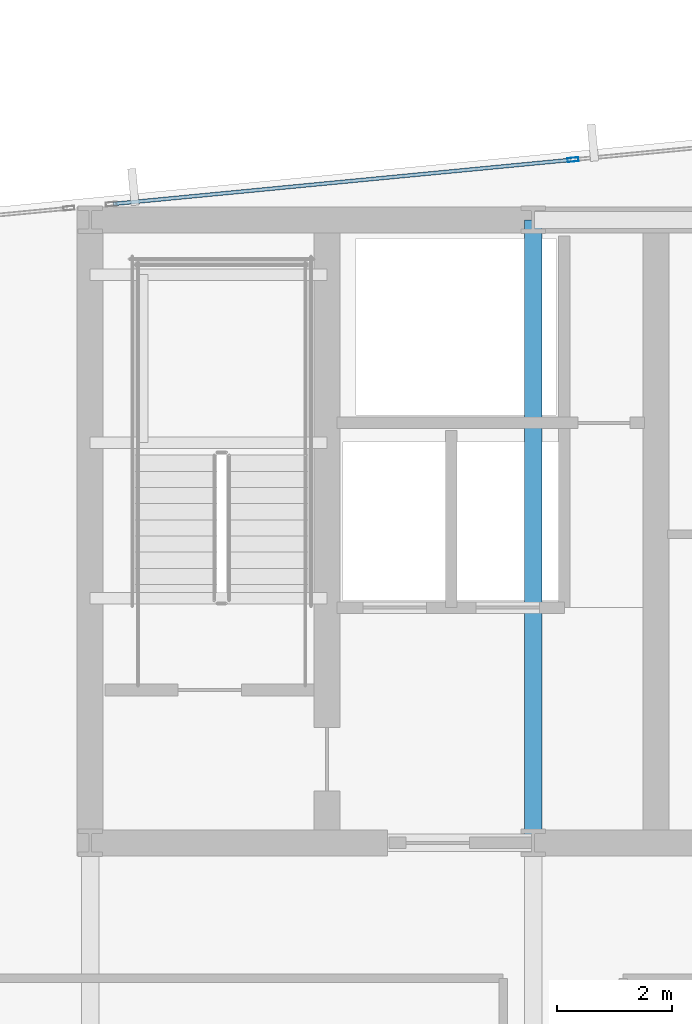
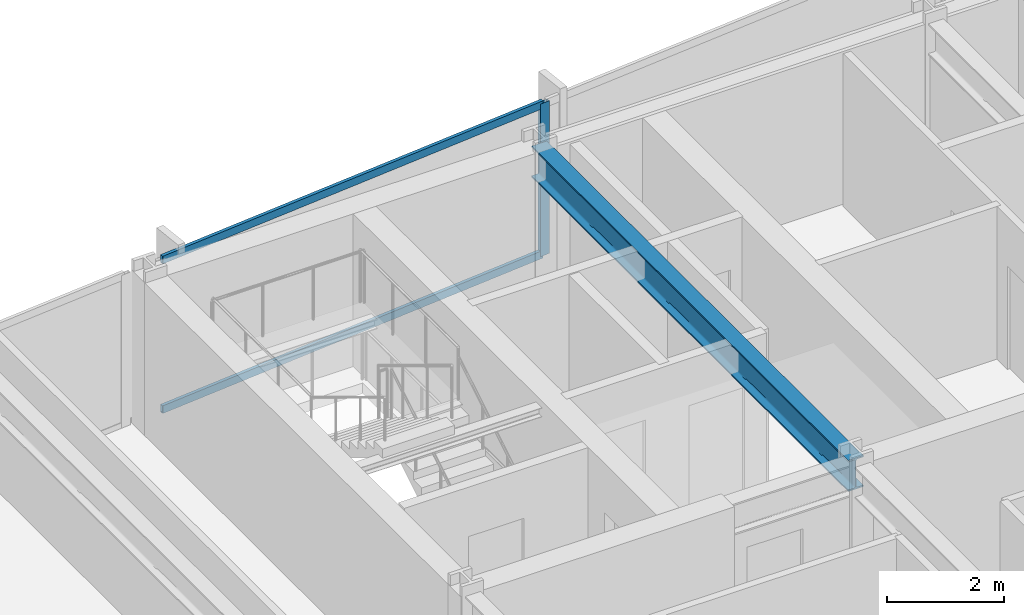
# One storey, part 18 of 32: 3 members, 1 beam, 1 element without a shape of its own.
"""IFC4 building model written with IfcOpenShell, lengths in metres."""

import ifcopenshell
import ifcopenshell.guid

model = None  # the IFC model being written
_history = None  # IfcOwnerHistory: only IFC2X3 demands one
_inside = {}  # id of a spatial element -> (the spatial element, [elements in it])
_under = {}  # id of a project, library or spatial element -> (it, [spatial elements below it])
_declared = {}  # id of a project -> (the project, [libraries it declares])
_typed = {}  # id of a type object -> (the type object, [elements of that type])
_made_of = {}  # id of a material, layer set ... -> (it, [elements and type objects made of it])


def new_model(schema):
    """Start an empty IFC model of exactly this schema.

    Asked for "IFC4X3", IfcOpenShell would pick the latest addendum, in which some entities
    have other attributes; the version numbers below select the first issue.
    IFC2X3 requires an IfcOwnerHistory on every rooted entity: one is made here for all.
    """
    global model, _history
    if schema == "IFC4X3":
        model = ifcopenshell.file(schema_version=(4, 3, 0, 0))
    else:
        model = ifcopenshell.file(schema=schema)
    _inside.clear()
    _under.clear()
    _declared.clear()
    _typed.clear()
    _made_of.clear()
    _history = None
    if model.schema == "IFC2X3":
        org = make("IfcOrganization", Name="unknown")
        user = make(
            "IfcPersonAndOrganization",
            ThePerson=make("IfcPerson", FamilyName="unknown"),
            TheOrganization=org,
        )
        app = make(
            "IfcApplication",
            ApplicationDeveloper=org,
            Version="unknown",
            ApplicationFullName="unknown",
            ApplicationIdentifier="unknown",
        )
        _history = make(
            "IfcOwnerHistory",
            OwningUser=user,
            OwningApplication=app,
            ChangeAction="ADDED",
            CreationDate=0,
        )
    return model


def make(cls, **values):
    """One entity of the class cls with the attributes given. An attribute that is None is left unset."""
    return model.create_entity(
        cls, **{name: value for name, value in values.items() if value is not None}
    )


def rooted(cls, **values):
    """An entity with a GlobalId (a new one), such as an element, a storey or a relation."""
    return make(cls, GlobalId=ifcopenshell.guid.new(), OwnerHistory=_history, **values)


def si_unit(unit_type, name, prefix=None):
    """IfcSIUnit, for example si_unit("LENGTHUNIT", "METRE", prefix="MILLI")."""
    return make("IfcSIUnit", UnitType=unit_type, Prefix=prefix, Name=name)


def assignment(units):
    """IfcUnitAssignment: the units of a project."""
    return None if units is None else make("IfcUnitAssignment", Units=units)


def point(xyz):
    """IfcCartesianPoint."""
    return None if xyz is None else make("IfcCartesianPoint", Coordinates=xyz)


def direction(xyz):
    """IfcDirection."""
    return None if xyz is None else make("IfcDirection", DirectionRatios=xyz)


def frame(location, z_axis=None, x_axis=None):
    """IfcAxis2Placement3D, a coordinate frame: its origin and axes. An axis left out is left unset."""
    return make(
        "IfcAxis2Placement3D",
        Location=point(location),
        Axis=direction(z_axis),
        RefDirection=direction(x_axis),
    )


def frame_2d(location, x_axis=None):
    """IfcAxis2Placement2D, a coordinate frame in the plane: its origin and x axis."""
    return make(
        "IfcAxis2Placement2D", Location=point(location), RefDirection=direction(x_axis)
    )


def origin():
    """The frame at (0, 0, 0) with its axes left unset."""
    return frame((0.0, 0.0, 0.0))


def origin_2d():
    """The frame at (0, 0) in the plane with its x axis left unset."""
    return frame_2d((0.0, 0.0))


def place(relative_to, where):
    """IfcLocalPlacement: puts the frame where relative to a parent placement (None: the world)."""
    return make(
        "IfcLocalPlacement", PlacementRelTo=relative_to, RelativePlacement=where
    )


def context(
    kind, dimensions, precision=None, world=None, true_north=None, identifier=None
):
    """IfcGeometricRepresentationContext, for example the 3D "Model" context."""
    return make(
        "IfcGeometricRepresentationContext",
        ContextIdentifier=identifier,
        ContextType=kind,
        CoordinateSpaceDimension=dimensions,
        Precision=precision,
        WorldCoordinateSystem=world,
        TrueNorth=true_north,
    )


def subcontext(parent, identifier, kind, view, scale=None):
    """IfcGeometricRepresentationSubContext, for example "Body" below "Model"."""
    return make(
        "IfcGeometricRepresentationSubContext",
        ContextIdentifier=identifier,
        ContextType=kind,
        ParentContext=parent,
        TargetScale=scale,
        TargetView=view,
    )


def project(units=None, contexts=None):
    """IfcProject with its units and contexts."""
    return rooted(
        "IfcProject",
        Name="project",
        RepresentationContexts=contexts,
        UnitsInContext=assignment(units),
    )


def spatial(cls, under=None, at=None, **own):
    """A site, building, storey or space (cls), placed at a placement, below another one or the project."""
    s = rooted(cls, ObjectPlacement=at, **own)
    if under is not None:
        _under.setdefault(under.id(), (under, []))[1].append(s)
    return s


def profile(cls, at=None, kind="AREA", **sizes):
    """A parametric profile (cls). Its sizes go by their IFC names, for example OverallWidth=200.0."""
    return make(cls, ProfileType=kind, Position=at, **sizes)


def hollow_rectangle(**sizes):
    """IfcRectangleHollowProfileDef."""
    return profile("IfcRectangleHollowProfileDef", **sizes)


def i_section(**sizes):
    """IfcIShapeProfileDef."""
    return profile("IfcIShapeProfileDef", **sizes)


def extrude(swept, where, along, depth):
    """IfcExtrudedAreaSolid: the profile swept, set in the frame where, extruded along a direction by depth."""
    return make(
        "IfcExtrudedAreaSolid",
        SweptArea=swept,
        Position=where,
        ExtrudedDirection=direction(along),
        Depth=depth,
    )


def shape(context_of_items, identifier, shape_type, items):
    """IfcShapeRepresentation: the items that make up one representation, for example the "Body"."""
    return make(
        "IfcShapeRepresentation",
        ContextOfItems=context_of_items,
        RepresentationIdentifier=identifier,
        RepresentationType=shape_type,
        Items=items,
    )


def material(Name=None, Category=None):
    """IfcMaterial."""
    return make("IfcMaterial", Name=Name, Category=Category)


def material_profile(
    of_material, cross_section, Name=None, Category=None, Priority=None
):
    """IfcMaterialProfile: a cross section and its material."""
    return make(
        "IfcMaterialProfile",
        Name=Name,
        Material=of_material,
        Profile=cross_section,
        Priority=Priority,
        Category=Category,
    )


def profile_set(profiles, Name=None, composite=None):
    """IfcMaterialProfileSet."""
    return make(
        "IfcMaterialProfileSet",
        Name=Name,
        MaterialProfiles=profiles,
        CompositeProfile=composite,
    )


def made_of(thing, what):
    """Note that an element or type object is made of a material, layer set ...; save() writes the relation."""
    if what is not None:
        _made_of.setdefault(what.id(), (what, []))[1].append(thing)
    return thing


def type_object(cls, material=None, **own):
    """A type object (cls), such as IfcWallType, which elements share."""
    return made_of(rooted(cls, **own), material)


def element(
    cls,
    number,
    at=None,
    inside=None,
    cuts=None,
    type_object=None,
    material=None,
    context=None,
    identifier="Body",
    shape_type=None,
    held_by="IfcProductDefinitionShape",
    body=None,
    shapes=None,
    **own,
):
    """One element of the class cls, such as IfcWall. Its Tag is "e" and its number.

    at: its placement. inside: the storey or other place that contains it. cuts: it is an
    opening in that element (IfcRelVoidsElement). A single representation is given by context,
    identifier, shape_type and body (its items); several are given by shapes. held_by: the class
    of the entity that holds the representations. save() writes the other relations.
    """
    e = rooted(cls, Tag="e%d" % number, ObjectPlacement=at, **own)
    if body is not None:
        shapes = [shape(context, identifier, shape_type, body)]
    if shapes is not None:
        e.Representation = make(held_by, Representations=shapes)
    if inside is not None:
        _inside.setdefault(inside.id(), (inside, []))[1].append(e)
    if cuts is not None:
        rooted(
            "IfcRelVoidsElement", RelatingBuildingElement=cuts, RelatedOpeningElement=e
        )
    if type_object is not None:
        _typed.setdefault(type_object.id(), (type_object, []))[1].append(e)
    return made_of(e, material)


def aggregate(whole, parts):
    """IfcRelAggregates: a whole, such as a stair, and the parts it consists of."""
    return rooted("IfcRelAggregates", RelatingObject=whole, RelatedObjects=parts)


def save(model, path):
    """Write the relations noted so far, then the file.

    IfcRelAggregates (storeys below a building ...), IfcRelContainedInSpatialStructure (elements
    in a storey), IfcRelDefinesByType, IfcRelAssociatesMaterial and IfcRelDeclares: one each for
    every whole, place, type object, material and project.
    """
    for whole, parts in _under.values():
        aggregate(whole, parts)
    for where, things in _inside.values():
        rooted(
            "IfcRelContainedInSpatialStructure",
            RelatedElements=things,
            RelatingStructure=where,
        )
    for kind, things in _typed.values():
        rooted("IfcRelDefinesByType", RelatedObjects=things, RelatingType=kind)
    for what, things in _made_of.values():
        rooted("IfcRelAssociatesMaterial", RelatedObjects=things, RelatingMaterial=what)
    for by, libraries in _declared.values():
        rooted("IfcRelDeclares", RelatingContext=by, RelatedDefinitions=libraries)
    model.write(path)


model = new_model("IFC4")

# Units and contexts
model_context = context("Model", 3, precision=1e-05, world=origin(), true_north=direction((0.0, 1.0)))
body_context = subcontext(model_context, "Body", "Model", "MODEL_VIEW")
ifc_project = project(units=[si_unit("LENGTHUNIT", "METRE"), si_unit("AREAUNIT", "SQUARE_METRE"), si_unit("VOLUMEUNIT", "CUBIC_METRE"), si_unit("PLANEANGLEUNIT", "RADIAN"), si_unit("MASSUNIT", "GRAM", prefix="KILO")], contexts=[model_context])

# Site, building, storey
site_placement = place(None, origin())
site = spatial("IfcSite", under=ifc_project, at=site_placement, CompositionType="ELEMENT")
building_placement = place(site_placement, origin())
building = spatial("IfcBuilding", under=site, at=building_placement, Name="Yelkora Congress Tower", CompositionType="ELEMENT")
storey_placement = place(building_placement, frame((0.0, 0.0, 130.5)))
storey = spatial("IfcBuildingStorey", under=building, at=storey_placement, Name="L35", CompositionType="ELEMENT", Elevation=130.5)

# Beam
ifc_material_1 = material(Name="Steel S355J2", Category="steel")
ifc_material_profile_1 = material_profile(ifc_material_1, i_section(OverallWidth=0.300048828125, OverallDepth=0.64990234375, WebThickness=0.01611328125, FlangeThickness=0.031005859375, FilletRadius=0.027099609375, at=origin_2d()), Name="HEB 650")
ifc_profile_set_1 = profile_set([ifc_material_profile_1], Name="Steel S355J2")
beam_type = type_object("IfcBeamType", Name="BM-GIRD-HEB650", PredefinedType="BEAM", material=ifc_profile_set_1)
beam_placement = place(storey_placement, frame((30.719970703125, 35.39990234375, 2.85498046875), z_axis=(0.0, 1.0, 0.0), x_axis=(-1.0, 0.0, 0.0)))
element("IfcBeam", 1, at=beam_placement, inside=storey, type_object=beam_type, Name="L35 Core Tie Girder MC-S2", PredefinedType="BEAM", context=body_context, shape_type="SweptSolid", body=[
    extrude(i_section(OverallWidth=0.300048828125, OverallDepth=0.64990234375, WebThickness=0.01611328125, FlangeThickness=0.031005859375, FilletRadius=0.027099609375, at=origin_2d()), origin(), (0.0, 0.0, 1.0), 10.800048828125),
])

# Curtain wall, members
ifc_material_2 = material(Name="Anodised aluminium and insulated glass", Category="aluminium")
curtain_wall_type = type_object("IfcCurtainWallType", Name="CW-SYS-B2", PredefinedType="NOTDEFINED", material=ifc_material_2)
curtain_wall_placement = place(storey_placement, origin())
curtain_wall = element("IfcCurtainWall", 2, at=curtain_wall_placement, inside=storey, type_object=curtain_wall_type, Name="L35 Unitised Curtain Wall 10 (3)", PredefinedType="NOTDEFINED")
ifc_material_3 = material(Name="Anodised aluminium 6063-T6", Category="aluminium")
ifc_material_profile_2 = material_profile(ifc_material_3, hollow_rectangle(XDim=0.070068359375, YDim=0.18994140625, WallThickness=0.00390625, at=origin_2d()), Name="ALU 70x190x4")
ifc_profile_set_2 = profile_set([ifc_material_profile_2], Name="Anodised aluminium 6063-T6")
member_type_1 = type_object("IfcMemberType", Name="MEM-ML-B2", PredefinedType="MULLION", material=ifc_profile_set_2)
member_1_placement = place(storey_placement, frame((31.411865234375, 47.244140625, 0.0), z_axis=(0.0, 0.0, 1.0), x_axis=(-0.095844238468, 0.995396344153, 0.0)))
member_1 = element("IfcMember", 3, at=member_1_placement, type_object=member_type_1, Name="CW-B2 mullion 2", PredefinedType="MULLION", context=body_context, shape_type="SweptSolid", body=[
    extrude(hollow_rectangle(XDim=0.070068359375, YDim=0.18994140625, WallThickness=0.00390625, at=origin_2d()), origin(), (0.0, 0.0, 1.0), 3.179931640625),
])
ifc_material_profile_3 = material_profile(ifc_material_3, hollow_rectangle(XDim=0.06494140625, YDim=0.159912109375, WallThickness=0.00390625, at=origin_2d()), Name="ALU 65x160x4")
ifc_profile_set_3 = profile_set([ifc_material_profile_3], Name="Anodised aluminium 6063-T6")
member_type_2 = type_object("IfcMemberType", Name="MEM-TR-B2", PredefinedType="USERDEFINED", material=ifc_profile_set_3)
member_2_placement = place(storey_placement, frame((23.441650390625, 46.476806640625, 0.032470703125), z_axis=(0.995398474706, 0.09582210889, 0.0), x_axis=(-0.09582210889, 0.995398474706, 0.0)))
member_2 = element("IfcMember", 4, at=member_2_placement, type_object=member_type_2, Name="CW-B2 transom 1.1", ObjectType="TRANSOM", PredefinedType="USERDEFINED", context=body_context, shape_type="SweptSolid", body=[
    extrude(hollow_rectangle(XDim=0.06494140625, YDim=0.159912109375, WallThickness=0.00390625, at=origin_2d()), origin(), (0.0, 0.0, 1.0), 7.97216796875),
])
member_3_placement = place(storey_placement, frame((23.441650390625, 46.476806640625, 3.1474609375), z_axis=(0.995398474706, 0.09582210889, 0.0), x_axis=(-0.09582210889, 0.995398474706, 0.0)))
member_3 = element("IfcMember", 5, at=member_3_placement, type_object=member_type_2, Name="CW-B2 transom 1.2", ObjectType="TRANSOM", PredefinedType="USERDEFINED", context=body_context, shape_type="SweptSolid", body=[
    extrude(hollow_rectangle(XDim=0.06494140625, YDim=0.159912109375, WallThickness=0.00390625, at=origin_2d()), origin(), (0.0, 0.0, 1.0), 7.97216796875),
])
aggregate(curtain_wall, [member_1, member_2, member_3])

save(model, "model.ifc")
